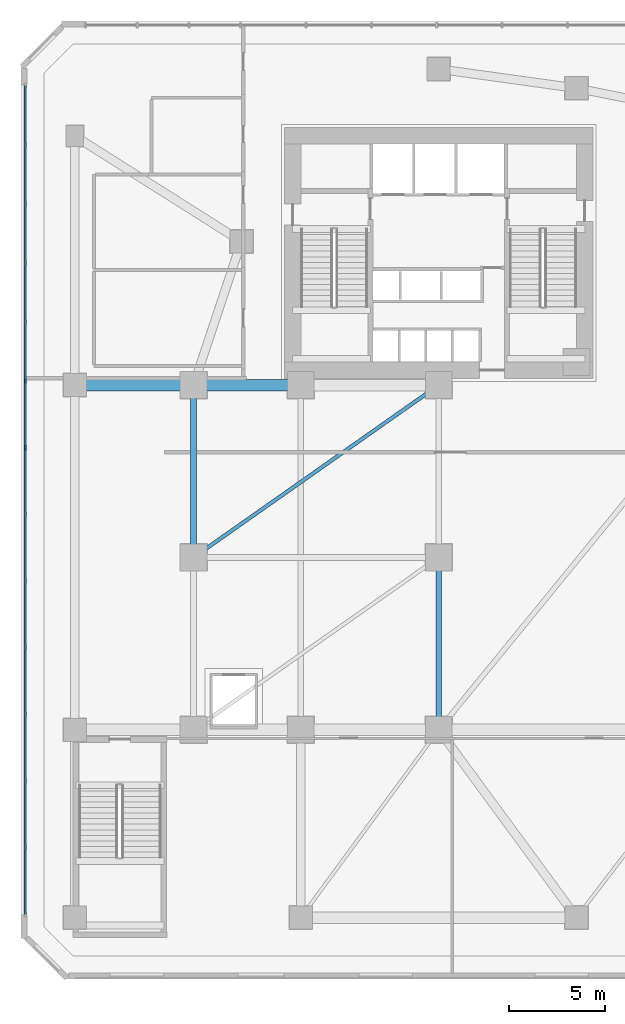
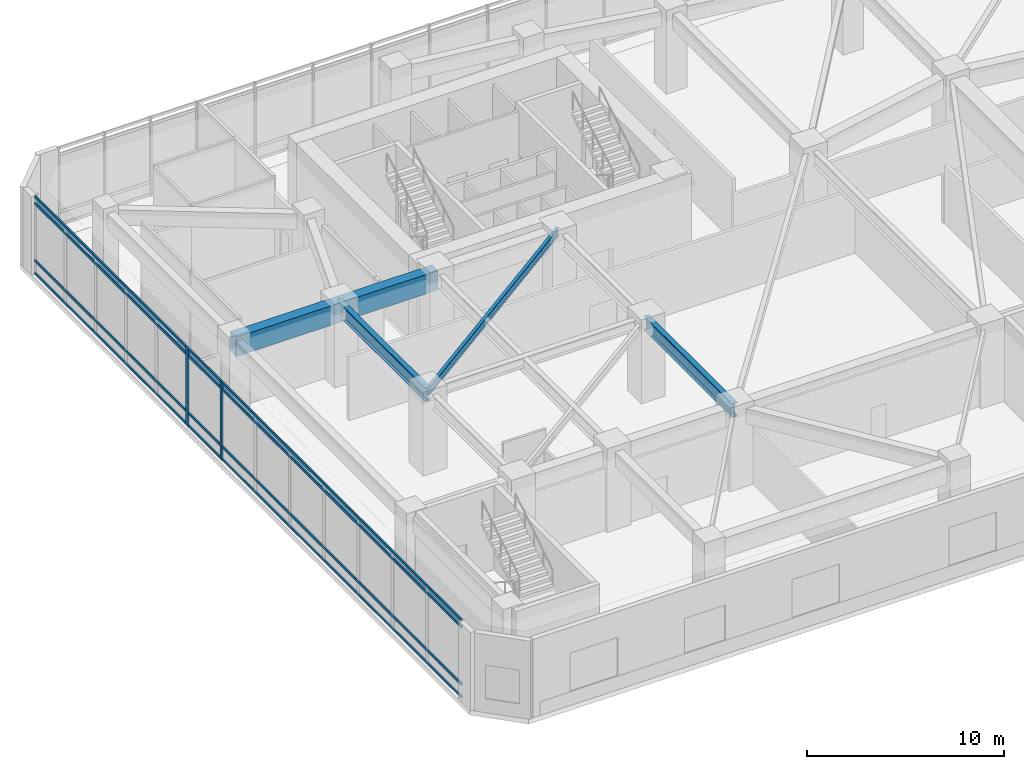
# One storey, part 3 of 15: 6 members, 5 beams, 1 element without a shape of its own.
"""IFC4 building model written with IfcOpenShell, lengths in metres."""

from ifc_helpers import new_model, si_unit, direction, frame, origin, origin_2d, place, context, subcontext, project, spatial, rectangle, i_section, extrude, source, transform, mapped, material, material_profile, profile_set, type_object, element, aggregate, save


model = new_model("IFC4")

# Units and contexts
model_context = context("Model", 3, precision=1e-05, world=origin(), true_north=direction((0.0, 1.0)))
body_context = subcontext(model_context, "Body", "Model", "MODEL_VIEW")
ifc_project = project(units=[si_unit("LENGTHUNIT", "METRE"), si_unit("AREAUNIT", "SQUARE_METRE"), si_unit("VOLUMEUNIT", "CUBIC_METRE"), si_unit("PLANEANGLEUNIT", "RADIAN"), si_unit("MASSUNIT", "GRAM", prefix="KILO")], contexts=[model_context])

# Site, building, storey
site_placement = place(None, origin())
site = spatial("IfcSite", under=ifc_project, at=site_placement, CompositionType="ELEMENT")
building_placement = place(site_placement, origin())
building = spatial("IfcBuilding", under=site, at=building_placement, Name="Calvemar Wedge Station Tower", CompositionType="ELEMENT")
storey_placement = place(building_placement, frame((0.0, 0.0, 16.39990234375)))
storey = spatial("IfcBuildingStorey", under=building, at=storey_placement, Name="L04", CompositionType="ELEMENT", Elevation=16.39990234375)

# Beams
ifc_material_1 = material(Name="Concrete C60", Category="concrete")
ifc_material_profile_1 = material_profile(ifc_material_1, rectangle(XDim=0.60009765625, YDim=1.199951171875, at=origin_2d()), Name="RC600x1200")
ifc_profile_set_1 = profile_set([ifc_material_profile_1], Name="Concrete C60")
beam_type_1 = type_object("IfcBeamType", Name="BM-G1-1200", PredefinedType="BEAM", material=ifc_profile_set_1)
shared_shape_1 = source(origin(), body_context, "Body", "SweptSolid", [
    extrude(rectangle(XDim=0.60009765625, YDim=1.199951171875, at=origin_2d()), origin(), (0.0, 0.0, 1.0), 6.199951171875),
])
beam_1_placement = place(storey_placement, frame((4.800048828125, 33.0, 4.25), z_axis=(1.0, 0.0, 0.0), x_axis=(0.0, 1.0, 0.0)))
element("IfcBeam", 1, at=beam_1_placement, inside=storey, type_object=beam_type_1, Name="Storey L04 Primary Girder G11", PredefinedType="BEAM", context=body_context, shape_type="MappedRepresentation", body=[
    mapped(shared_shape_1, transform((0.0, 0.0, 0.0), scale=1.0)),
])
shared_shape_2 = source(origin(), body_context, "Body", "SweptSolid", [
    extrude(rectangle(XDim=0.60009765625, YDim=1.199951171875, at=origin_2d()), origin(), (0.0, 0.0, 1.0), 5.60009765625),
])
beam_2_placement = place(storey_placement, frame((11.0, 33.0, 4.25), z_axis=(1.0, 0.0, 0.0), x_axis=(0.0, 1.0, 0.0)))
element("IfcBeam", 2, at=beam_2_placement, inside=storey, type_object=beam_type_1, Name="Storey L04 Primary Girder G12", PredefinedType="BEAM", context=body_context, shape_type="MappedRepresentation", body=[
    mapped(shared_shape_2, transform((0.0, 0.0, 0.0), scale=1.0)),
])
ifc_material_2 = material(Name="Structural steel ASTM A572 Grade 50", Category="steel")
ifc_material_profile_2 = material_profile(ifc_material_2, i_section(OverallWidth=0.303955078125, OverallDepth=0.862060546875, WebThickness=0.019775390625, FlangeThickness=0.035888671875, FilletRadius=0.02001953125, at=origin_2d()), Name="W840x329")
ifc_profile_set_2 = profile_set([ifc_material_profile_2], Name="Structural steel ASTM A572 Grade 50")
beam_type_2 = type_object("IfcBeamType", Name="BM-TR2-W840", PredefinedType="BEAM", material=ifc_profile_set_2)
shared_shape_3 = source(origin(), body_context, "Body", "SweptSolid", [
    extrude(i_section(OverallWidth=0.303955078125, OverallDepth=0.862060546875, WebThickness=0.019775390625, FlangeThickness=0.035888671875, FilletRadius=0.02001953125, at=origin_2d()), origin(), (0.0, 0.0, 1.0), 9.0),
])
for number, where, z_axis, x_axis, name in (
    (3, (11.0, 24.0, 4.419189453125), (0.0, 1.0, 0.0), (-1.0, 0.0, 0.0), "Storey L04 Primary Girder G20"),
    (4, (23.800048828125, 15.0, 4.419189453125), (0.0, 1.0, 0.0), (-1.0, 0.0, 0.0), "Storey L04 Primary Girder G22"),
):
    element("IfcBeam", number, at=place(storey_placement, frame(where, z_axis=z_axis, x_axis=x_axis)), inside=storey, type_object=beam_type_2, Name=name, PredefinedType="BEAM", context=body_context, shape_type="MappedRepresentation", body=[
        mapped(shared_shape_3, transform((0.0, 0.0, 0.0), scale=1.0)),
    ])
ifc_material_profile_3 = material_profile(ifc_material_2, i_section(OverallWidth=0.19189453125, OverallDepth=0.462890625, WebThickness=0.010498046875, FlangeThickness=0.017578125, FilletRadius=0.012939453125, at=origin_2d()), Name="W460x89")
ifc_profile_set_3 = profile_set([ifc_material_profile_3], Name="Structural steel ASTM A572 Grade 50")
beam_type_3 = type_object("IfcBeamType", Name="BM-J1-W460", PredefinedType="JOIST", material=ifc_profile_set_3)
shared_shape_4 = source(origin(), body_context, "Body", "SweptSolid", [
    extrude(i_section(OverallWidth=0.19189453125, OverallDepth=0.462890625, WebThickness=0.010498046875, FlangeThickness=0.017578125, FilletRadius=0.012939453125, at=origin_2d()), origin(), (0.0, 0.0, 1.0), 15.6474609375),
])
beam_3_placement = place(storey_placement, frame((11.0, 24.0, 4.61865234375), z_axis=(0.818030190743, 0.575175283747, 0.0), x_axis=(-0.575175283747, 0.818030190743, 0.0)))
element("IfcBeam", 5, at=beam_3_placement, inside=storey, type_object=beam_type_3, Name="Storey L04 Concourse Cross Joist 2", PredefinedType="JOIST", context=body_context, shape_type="MappedRepresentation", body=[
    mapped(shared_shape_4, transform((0.0, 0.0, 0.0), scale=1.0)),
])

# Curtain wall, members
ifc_material_3 = material(Name="Anodised aluminium 6063-T6", Category="aluminium")
curtain_wall_type = type_object("IfcCurtainWallType", Name="CW5", PredefinedType="NOTDEFINED", material=ifc_material_3)
curtain_wall_placement = place(storey_placement, origin())
curtain_wall = element("IfcCurtainWall", 6, at=curtain_wall_placement, inside=storey, type_object=curtain_wall_type, Name="Storey L04 CW5 Recessed Unitised Curtain Wall 6", PredefinedType="NOTDEFINED")
ifc_material_profile_4 = material_profile(ifc_material_3, rectangle(XDim=0.0849609375, YDim=0.169921875, at=origin_2d()), Name="AL-TRN-85x170")
ifc_profile_set_4 = profile_set([ifc_material_profile_4], Name="Anodised aluminium 6063-T6")
member_type_1 = type_object("IfcMemberType", Name="CW5-TRN", PredefinedType="USERDEFINED", material=ifc_profile_set_4)
shared_shape_5 = source(origin(), body_context, "Body", "SweptSolid", [
    extrude(rectangle(XDim=0.0849609375, YDim=0.169921875, at=origin_2d()), origin(), (0.0, 0.0, 1.0), 43.27587890625),
])
member_1_placement = place(storey_placement, frame((2.2099609375, 48.637939453125, 0.06005859375), z_axis=(0.0, -1.0, 0.0), x_axis=(1.0, 0.0, 0.0)))
member_1 = element("IfcMember", 7, at=member_1_placement, type_object=member_type_1, Name="CW5 transom 1", ObjectType="TRANSOM", PredefinedType="USERDEFINED", context=body_context, shape_type="MappedRepresentation", body=[
    mapped(shared_shape_5, transform((0.0, 0.0, 0.0), scale=1.0)),
])
member_2_placement = place(storey_placement, frame((2.2099609375, 48.637939453125, 0.85009765625), z_axis=(0.0, -1.0, 0.0), x_axis=(1.0, 0.0, 0.0)))
member_2 = element("IfcMember", 8, at=member_2_placement, type_object=member_type_1, Name="CW5 transom 2", ObjectType="TRANSOM", PredefinedType="USERDEFINED", context=body_context, shape_type="MappedRepresentation", body=[
    mapped(shared_shape_5, transform((0.0, 0.0, 0.0), scale=1.0)),
])
member_3_placement = place(storey_placement, frame((2.2099609375, 48.637939453125, 4.400146484375), z_axis=(0.0, -1.0, 0.0), x_axis=(1.0, 0.0, 0.0)))
member_3 = element("IfcMember", 9, at=member_3_placement, type_object=member_type_1, Name="CW5 transom 3", ObjectType="TRANSOM", PredefinedType="USERDEFINED", context=body_context, shape_type="MappedRepresentation", body=[
    mapped(shared_shape_5, transform((0.0, 0.0, 0.0), scale=1.0)),
])
member_4_placement = place(storey_placement, frame((2.2099609375, 48.637939453125, 4.7900390625), z_axis=(0.0, -1.0, 0.0), x_axis=(1.0, 0.0, 0.0)))
member_4 = element("IfcMember", 10, at=member_4_placement, type_object=member_type_1, Name="CW5 transom 4", ObjectType="TRANSOM", PredefinedType="USERDEFINED", context=body_context, shape_type="MappedRepresentation", body=[
    mapped(shared_shape_5, transform((0.0, 0.0, 0.0), scale=1.0)),
])
ifc_material_profile_5 = material_profile(ifc_material_3, rectangle(XDim=0.0849609375, YDim=0.239990234375, at=origin_2d()), Name="AL-MUL-85x240")
ifc_profile_set_5 = profile_set([ifc_material_profile_5], Name="Anodised aluminium 6063-T6")
member_type_2 = type_object("IfcMemberType", Name="CW5-MUL", PredefinedType="MULLION", material=ifc_profile_set_5)
shared_shape_6 = source(origin(), body_context, "Body", "SweptSolid", [
    extrude(rectangle(XDim=0.0849609375, YDim=0.239990234375, at=origin_2d()), origin(), (0.0, 0.0, 1.0), 4.89990234375),
])
member_5_placement = place(storey_placement, frame((2.2099609375, 33.2099609375, -0.0498046875), z_axis=(0.0, 0.0, 1.0), x_axis=(1.0, 0.0, 0.0)))
member_5 = element("IfcMember", 11, at=member_5_placement, type_object=member_type_2, Name="CW5 mullion 6", PredefinedType="MULLION", context=body_context, shape_type="MappedRepresentation", body=[
    mapped(shared_shape_6, transform((0.0, 0.0, 0.0), scale=1.0)),
])
member_6_placement = place(storey_placement, frame((2.2099609375, 29.72900390625, -0.0498046875), z_axis=(0.0, 0.0, 1.0), x_axis=(1.0, 0.0, 0.0)))
member_6 = element("IfcMember", 12, at=member_6_placement, type_object=member_type_2, Name="CW5 mullion 7", PredefinedType="MULLION", context=body_context, shape_type="MappedRepresentation", body=[
    mapped(shared_shape_6, transform((0.0, 0.0, 0.0), scale=1.0)),
])
aggregate(curtain_wall, [member_5, member_6, member_1, member_2, member_3, member_4])

save(model, "model.ifc")
